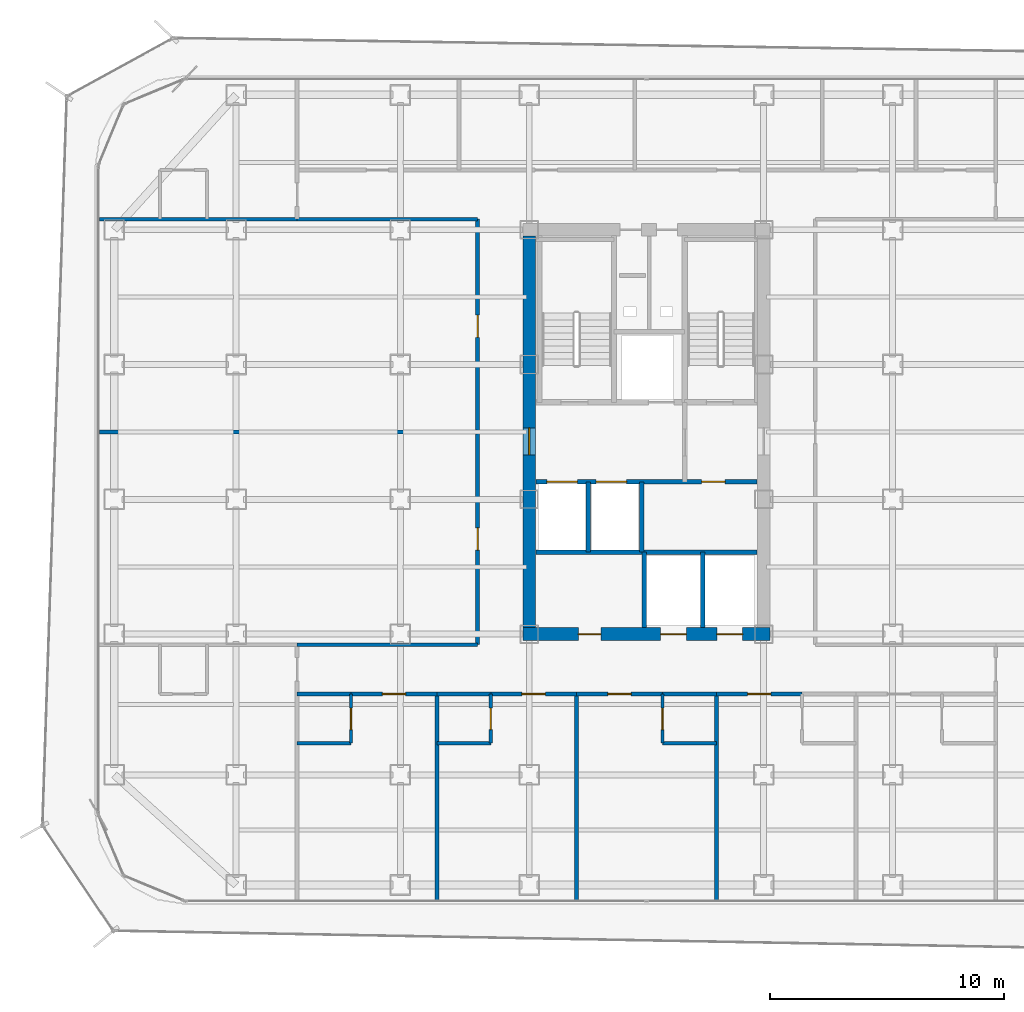
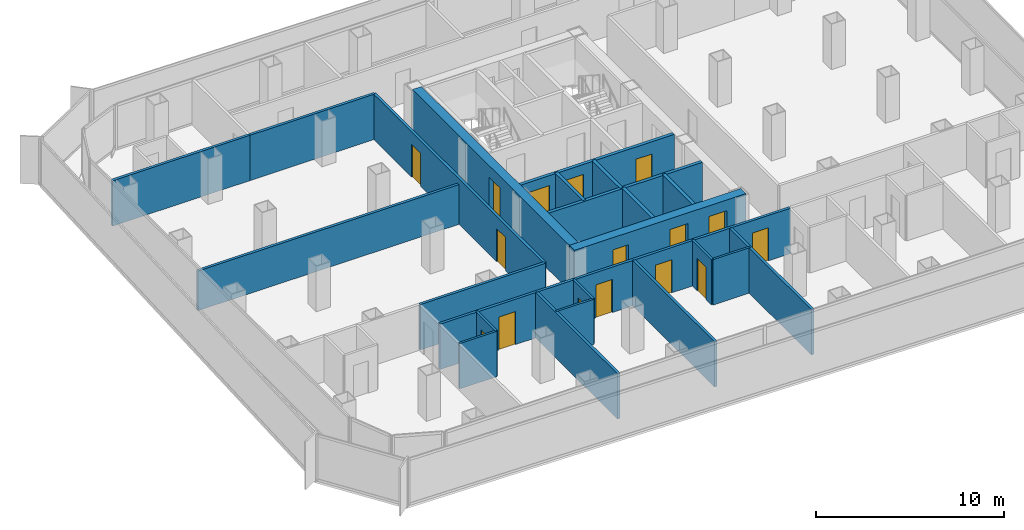
# One storey, part 16 of 21: 29 walls, 16 doors, 16 openings.
"""IFC4 building model written with IfcOpenShell, lengths in metres."""

from ifc_helpers import new_model, si_unit, direction, frame, frame_2d, origin, place, context, subcontext, project, spatial, rectangle, extrude, material, layer, layer_set, type_object, element, fill, save


model = new_model("IFC4")

# Units and contexts
model_context = context("Model", 3, precision=1e-05, world=origin(), true_north=direction((0.0, 1.0)))
body_context = subcontext(model_context, "Body", "Model", "MODEL_VIEW")
ifc_project = project(units=[si_unit("LENGTHUNIT", "METRE"), si_unit("AREAUNIT", "SQUARE_METRE"), si_unit("VOLUMEUNIT", "CUBIC_METRE"), si_unit("PLANEANGLEUNIT", "RADIAN"), si_unit("MASSUNIT", "GRAM", prefix="KILO")], contexts=[model_context])

# Site, building, storey
site_placement = place(None, origin())
site = spatial("IfcSite", under=ifc_project, at=site_placement, CompositionType="ELEMENT")
building_placement = place(site_placement, origin())
building = spatial("IfcBuilding", under=site, at=building_placement, Name="Kolveth Station Tower", CompositionType="ELEMENT")
storey_placement = place(building_placement, frame((0.0, 0.0, 111.89990234375)))
storey = spatial("IfcBuildingStorey", under=building, at=storey_placement, Name="L30", CompositionType="ELEMENT", Elevation=111.89990234375)

# Wall, openings, doors
ifc_material_1 = material(Name="Concrete C60/75", Category="concrete")
ifc_layer_1 = layer(ifc_material_1, 0.550048828125)
ifc_layer_set_1 = layer_set([ifc_layer_1], Name="Concrete C60/75")
wall_type_1 = type_object("IfcWallType", Name="Wall_CW-550", PredefinedType="SHEAR", material=ifc_layer_set_1)
wall_1_placement = place(storey_placement, frame((18.22509765625, 11.5, 0.0), z_axis=(0.0, 0.0, 1.0), x_axis=(1.0, 0.0, 0.0)))
wall_1 = element("IfcWall", 1, at=wall_1_placement, inside=storey, type_object=wall_type_1, Name="L30 Core RC Shear Wall S", PredefinedType="SHEAR", context=body_context, shape_type="SweptSolid", body=[
    extrude(rectangle(XDim=10.5498046875, YDim=0.550048828125, at=frame_2d((5.27490234375, 0.0))), origin(), (0.0, 0.0, 1.0), 2.9501953125),
])
opening_1_placement = place(wall_1_placement, frame((2.375, 0.0, 0.0)))
opening_1 = element("IfcOpeningElement", 2, at=opening_1_placement, cuts=wall_1, Name="Opening ID1", PredefinedType="OPENING", context=body_context, shape_type="SweptSolid", body=[
    extrude(rectangle(XDim=0.949951171875, YDim=2.14990234375, at=frame_2d((0.47509765625, 1.074951171875))), frame((0.0, 0.284912109375, 0.0), z_axis=(0.0, -1.0, 0.0), x_axis=(1.0, 0.0, 0.0)), (0.0, 0.0, 1.0), 0.570068359375),
])
opening_2_placement = place(wall_1_placement, frame((5.875, 0.0, 0.0)))
opening_2 = element("IfcOpeningElement", 3, at=opening_2_placement, cuts=wall_1, Name="Opening LD1", PredefinedType="OPENING", context=body_context, shape_type="SweptSolid", body=[
    extrude(rectangle(XDim=1.10009765625, YDim=2.25, at=frame_2d((0.550048828125, 1.125))), frame((0.0, 0.284912109375, 0.0), z_axis=(0.0, -1.0, 0.0), x_axis=(1.0, 0.0, 0.0)), (0.0, 0.0, 1.0), 0.570068359375),
])
opening_3_placement = place(wall_1_placement, frame((8.27490234375, 0.0, 0.0)))
opening_3 = element("IfcOpeningElement", 4, at=opening_3_placement, cuts=wall_1, Name="Opening LD1", PredefinedType="OPENING", context=body_context, shape_type="SweptSolid", body=[
    extrude(rectangle(XDim=1.10009765625, YDim=2.25, at=frame_2d((0.550048828125, 1.125))), frame((0.0, 0.284912109375, 0.0), z_axis=(0.0, -1.0, 0.0), x_axis=(1.0, 0.0, 0.0)), (0.0, 0.0, 1.0), 0.570068359375),
])
ifc_material_2 = material(Name="Acoustic hardwood leaf and aluminium frame", Category="wood")
door_type_1 = type_object("IfcDoorType", Name="Door_ID1", OperationType="NOTDEFINED", PredefinedType="DOOR", material=ifc_material_2)
door_1_placement = place(opening_1_placement, frame((0.949951171875, 0.0, 0.0), z_axis=(0.0, 0.0, 1.0), x_axis=(-1.0, 0.0, 0.0)))
door_1 = element("IfcDoor", 5, at=door_1_placement, inside=storey, type_object=door_type_1, Name="L30 Hotel Pantry Door", OperationType="SINGLE_SWING_LEFT", OverallHeight=2.14990234375, OverallWidth=0.949951171875, PredefinedType="DOOR", context=body_context, shape_type="SweptSolid", body=[
    extrude(rectangle(XDim=0.949951171875, YDim=2.14990234375, at=frame_2d((0.47509765625, 1.074951171875))), frame((0.0, 0.02490234375, 0.0), z_axis=(0.0, -1.0, 0.0), x_axis=(1.0, 0.0, 0.0)), (0.0, 0.0, 1.0), 0.050048828125),
])
fill(opening_1, door_1)
ifc_material_3 = material(Name="Brushed stainless steel sliding landing doors", Category="steel")
door_type_2 = type_object("IfcDoorType", Name="Door_LD1", OperationType="NOTDEFINED", PredefinedType="DOOR", material=ifc_material_3)
door_2_placement = place(opening_2_placement, frame((1.10009765625, 0.0, 0.0), z_axis=(0.0, 0.0, 1.0), x_axis=(-1.0, 0.0, 0.0)))
door_2 = element("IfcDoor", 6, at=door_2_placement, inside=storey, type_object=door_type_2, Name="L30 Lift PM1 Landing Door", OperationType="DOUBLE_DOOR_SLIDING", OverallHeight=2.25, OverallWidth=1.10009765625, PredefinedType="DOOR", context=body_context, shape_type="SweptSolid", body=[
    extrude(rectangle(XDim=1.10009765625, YDim=2.25, at=frame_2d((0.550048828125, 1.125))), frame((0.0, 0.02490234375, 0.0), z_axis=(0.0, -1.0, 0.0), x_axis=(1.0, 0.0, 0.0)), (0.0, 0.0, 1.0), 0.050048828125),
])
fill(opening_2, door_2)
door_3_placement = place(opening_3_placement, frame((1.10009765625, 0.0, 0.0), z_axis=(0.0, 0.0, 1.0), x_axis=(-1.0, 0.0, 0.0)))
door_3 = element("IfcDoor", 7, at=door_3_placement, inside=storey, type_object=door_type_2, Name="L30 Lift PH1 Landing Door", OperationType="DOUBLE_DOOR_SLIDING", OverallHeight=2.25, OverallWidth=1.10009765625, PredefinedType="DOOR", context=body_context, shape_type="SweptSolid", body=[
    extrude(rectangle(XDim=1.10009765625, YDim=2.25, at=frame_2d((0.550048828125, 1.125))), frame((0.0, 0.02490234375, 0.0), z_axis=(0.0, -1.0, 0.0), x_axis=(1.0, 0.0, 0.0)), (0.0, 0.0, 1.0), 0.050048828125),
])
fill(opening_3, door_3)

# Wall, opening, door
wall_2_placement = place(storey_placement, frame((18.5, 11.77490234375, 0.0), z_axis=(0.0, 0.0, 1.0), x_axis=(0.0, 1.0, 0.0)))
wall_2 = element("IfcWall", 8, at=wall_2_placement, inside=storey, type_object=wall_type_1, Name="L30 Core RC Shear Wall W", PredefinedType="SHEAR", context=body_context, shape_type="SweptSolid", body=[
    extrude(rectangle(XDim=16.7001953125, YDim=0.550048828125, at=frame_2d((8.35009765625, 0.0))), origin(), (0.0, 0.0, 1.0), 2.9501953125),
])
opening_4_placement = place(wall_2_placement, frame((7.375, 0.0, 0.0)))
opening_4 = element("IfcOpeningElement", 9, at=opening_4_placement, cuts=wall_2, Name="Opening FD1", PredefinedType="OPENING", context=body_context, shape_type="SweptSolid", body=[
    extrude(rectangle(XDim=1.14990234375, YDim=2.199951171875, at=frame_2d((0.574951171875, 1.10009765625))), frame((0.0, 0.284912109375, 0.0), z_axis=(0.0, -1.0, 0.0), x_axis=(1.0, 0.0, 0.0)), (0.0, 0.0, 1.0), 0.570068359375),
])
ifc_material_4 = material(Name="Fire-rated Steel S355 leaf and frame", Category="steel")
door_type_3 = type_object("IfcDoorType", Name="Door_FD1", OperationType="NOTDEFINED", PredefinedType="DOOR", material=ifc_material_4)
door_4_placement = place(opening_4_placement, frame((1.14990234375, 0.0, 0.0), z_axis=(0.0, 0.0, 1.0), x_axis=(-1.0, 0.0, 0.0)))
door_4 = element("IfcDoor", 10, at=door_4_placement, inside=storey, type_object=door_type_3, Name="L30 West Corridor to Firefighting Lobby Door", OperationType="SINGLE_SWING_LEFT", OverallHeight=2.199951171875, OverallWidth=1.14990234375, PredefinedType="DOOR", context=body_context, shape_type="SweptSolid", body=[
    extrude(rectangle(XDim=1.14990234375, YDim=2.199951171875, at=frame_2d((0.574951171875, 1.10009765625))), frame((0.0, 0.02490234375, 0.0), z_axis=(0.0, -1.0, 0.0), x_axis=(1.0, 0.0, 0.0)), (0.0, 0.0, 1.0), 0.050048828125),
])
fill(opening_4, door_4)

ifc_material_5 = material(Name="Moisture-resistant gypsum partition")
ifc_layer_2 = layer(ifc_material_5, 0.135009765625)
ifc_layer_set_2 = layer_set([ifc_layer_2], Name="Moisture-resistant gypsum partition")
wall_type_2 = type_object("IfcWallType", Name="Wall_IW-135", PredefinedType="PARTITIONING", material=ifc_layer_set_2)
wall_3_placement = place(storey_placement, frame((10.89990234375, 6.85009765625, 0.0), z_axis=(0.0, 0.0, 1.0), x_axis=(0.0, 1.0, 0.0)))
wall_3 = element("IfcWall", 11, at=wall_3_placement, inside=storey, type_object=wall_type_2, Name="L30 Partition Wall WL-L30-HS1-BV", PredefinedType="PARTITIONING", context=body_context, shape_type="SweptSolid", body=[
    extrude(rectangle(XDim=2.099853515625, YDim=0.135009765625, at=frame_2d((1.0498046875, 0.0))), origin(), (0.0, 0.0, 1.0), 2.9501953125),
])
opening_5_placement = place(wall_3_placement, frame((0.580078125, 0.0, 0.0)))
opening_5 = element("IfcOpeningElement", 12, at=opening_5_placement, cuts=wall_3, Name="Opening ID2", PredefinedType="OPENING", context=body_context, shape_type="SweptSolid", body=[
    extrude(rectangle(XDim=0.919921875, YDim=2.10009765625, at=frame_2d((0.4599609375, 1.050048828125))), frame((0.0, 0.077392578125, 0.0), z_axis=(0.0, -1.0, 0.0), x_axis=(1.0, 0.0, 0.0)), (0.0, 0.0, 1.0), 0.155029296875),
])
ifc_material_6 = material(Name="Moisture-resistant hardwood leaf", Category="wood")
door_type_4 = type_object("IfcDoorType", Name="Door_ID2", OperationType="NOTDEFINED", PredefinedType="DOOR", material=ifc_material_6)
door_5_placement = place(opening_5_placement, frame((0.919921875, 0.0, 0.0), z_axis=(0.0, 0.0, 1.0), x_axis=(-1.0, 0.0, 0.0)))
door_5 = element("IfcDoor", 13, at=door_5_placement, inside=storey, type_object=door_type_4, Name="L30 Hotel Guest Room HS1 En-Suite Door", OperationType="SINGLE_SWING_RIGHT", OverallHeight=2.10009765625, OverallWidth=0.919921875, PredefinedType="DOOR", context=body_context, shape_type="SweptSolid", body=[
    extrude(rectangle(XDim=0.919921875, YDim=2.10009765625, at=frame_2d((0.4599609375, 1.050048828125))), frame((0.0, 0.02490234375, 0.0), z_axis=(0.0, -1.0, 0.0), x_axis=(1.0, 0.0, 0.0)), (0.0, 0.0, 1.0), 0.050048828125),
])
fill(opening_5, door_5)

# Wall
wall_4_placement = place(storey_placement, frame((8.60009765625, 6.85009765625, 0.0), z_axis=(0.0, 0.0, 1.0), x_axis=(1.0, 0.0, 0.0)))
element("IfcWall", 14, at=wall_4_placement, inside=storey, type_object=wall_type_2, Name="L30 Partition Wall WL-L30-HS1-BH", PredefinedType="PARTITIONING", context=body_context, shape_type="SweptSolid", body=[
    extrude(rectangle(XDim=2.2998046875, YDim=0.135009765625, at=frame_2d((1.14990234375, 0.0))), origin(), (0.0, 0.0, 1.0), 2.9501953125),
])

# Wall, opening, door
wall_5_placement = place(storey_placement, frame((16.860107421875, 6.85009765625, 0.0), z_axis=(0.0, 0.0, 1.0), x_axis=(0.0, 1.0, 0.0)))
wall_5 = element("IfcWall", 15, at=wall_5_placement, inside=storey, type_object=wall_type_2, Name="L30 Partition Wall WL-L30-HS2-BV", PredefinedType="PARTITIONING", context=body_context, shape_type="SweptSolid", body=[
    extrude(rectangle(XDim=2.099853515625, YDim=0.135009765625, at=frame_2d((1.0498046875, 0.0))), origin(), (0.0, 0.0, 1.0), 2.9501953125),
])
opening_6_placement = place(wall_5_placement, frame((0.580078125, 0.0, 0.0)))
opening_6 = element("IfcOpeningElement", 16, at=opening_6_placement, cuts=wall_5, Name="Opening ID2", PredefinedType="OPENING", context=body_context, shape_type="SweptSolid", body=[
    extrude(rectangle(XDim=0.919921875, YDim=2.10009765625, at=frame_2d((0.4599609375, 1.050048828125))), frame((0.0, 0.077392578125, 0.0), z_axis=(0.0, -1.0, 0.0), x_axis=(1.0, 0.0, 0.0)), (0.0, 0.0, 1.0), 0.155029296875),
])
door_6_placement = place(opening_6_placement, frame((0.919921875, 0.0, 0.0), z_axis=(0.0, 0.0, 1.0), x_axis=(-1.0, 0.0, 0.0)))
door_6 = element("IfcDoor", 17, at=door_6_placement, inside=storey, type_object=door_type_4, Name="L30 Hotel Guest Room HS2 En-Suite Door", OperationType="SINGLE_SWING_RIGHT", OverallHeight=2.10009765625, OverallWidth=0.919921875, PredefinedType="DOOR", context=body_context, shape_type="SweptSolid", body=[
    extrude(rectangle(XDim=0.919921875, YDim=2.10009765625, at=frame_2d((0.4599609375, 1.050048828125))), frame((0.0, 0.02490234375, 0.0), z_axis=(0.0, -1.0, 0.0), x_axis=(1.0, 0.0, 0.0)), (0.0, 0.0, 1.0), 0.050048828125),
])
fill(opening_6, door_6)

# Wall
wall_6_placement = place(storey_placement, frame((14.56005859375, 6.85009765625, 0.0), z_axis=(0.0, 0.0, 1.0), x_axis=(1.0, 0.0, 0.0)))
element("IfcWall", 18, at=wall_6_placement, inside=storey, type_object=wall_type_2, Name="L30 Partition Wall WL-L30-HS2-BH", PredefinedType="PARTITIONING", context=body_context, shape_type="SweptSolid", body=[
    extrude(rectangle(XDim=2.300048828125, YDim=0.135009765625, at=frame_2d((1.14990234375, 0.0))), origin(), (0.0, 0.0, 1.0), 2.9501953125),
])

# Wall, opening, door
wall_7_placement = place(storey_placement, frame((24.179931640625, 6.85009765625, 0.0), z_axis=(0.0, 0.0, 1.0), x_axis=(0.0, 1.0, 0.0)))
wall_7 = element("IfcWall", 19, at=wall_7_placement, inside=storey, type_object=wall_type_2, Name="L30 Partition Wall WL-L30-HS3-BV", PredefinedType="PARTITIONING", context=body_context, shape_type="SweptSolid", body=[
    extrude(rectangle(XDim=2.099853515625, YDim=0.135009765625, at=frame_2d((1.0498046875, 0.0))), origin(), (0.0, 0.0, 1.0), 2.9501953125),
])
opening_7_placement = place(wall_7_placement, frame((0.580078125, 0.0, 0.0)))
opening_7 = element("IfcOpeningElement", 20, at=opening_7_placement, cuts=wall_7, Name="Opening ID2", PredefinedType="OPENING", context=body_context, shape_type="SweptSolid", body=[
    extrude(rectangle(XDim=0.919921875, YDim=2.10009765625, at=frame_2d((0.4599609375, 1.050048828125))), frame((0.0, 0.077392578125, 0.0), z_axis=(0.0, -1.0, 0.0), x_axis=(1.0, 0.0, 0.0)), (0.0, 0.0, 1.0), 0.155029296875),
])
door_7_placement = place(opening_7_placement, origin())
door_7 = element("IfcDoor", 21, at=door_7_placement, inside=storey, type_object=door_type_4, Name="L30 Hotel Guest Room HS3 En-Suite Door", OperationType="SINGLE_SWING_RIGHT", OverallHeight=2.10009765625, OverallWidth=0.919921875, PredefinedType="DOOR", context=body_context, shape_type="SweptSolid", body=[
    extrude(rectangle(XDim=0.919921875, YDim=2.10009765625, at=frame_2d((0.4599609375, 1.050048828125))), frame((0.0, 0.02490234375, 0.0), z_axis=(0.0, -1.0, 0.0), x_axis=(1.0, 0.0, 0.0)), (0.0, 0.0, 1.0), 0.050048828125),
])
fill(opening_7, door_7)

# Walls
wall_8_placement = place(storey_placement, frame((24.179931640625, 6.85009765625, 0.0), z_axis=(0.0, 0.0, 1.0), x_axis=(1.0, 0.0, 0.0)))
element("IfcWall", 22, at=wall_8_placement, inside=storey, type_object=wall_type_2, Name="L30 Partition Wall WL-L30-HS3-BH", PredefinedType="PARTITIONING", context=body_context, shape_type="SweptSolid", body=[
    extrude(rectangle(XDim=2.300048828125, YDim=0.135009765625, at=frame_2d((1.14990234375, 0.0))), origin(), (0.0, 0.0, 1.0), 2.9501953125),
])
ifc_material_7 = material(Name="Acoustic double-stud gypsum partition")
ifc_layer_3 = layer(ifc_material_7, 0.1650390625)
ifc_layer_set_3 = layer_set([ifc_layer_3], Name="Acoustic double-stud gypsum partition")
wall_type_3 = type_object("IfcWallType", Name="Wall_IW-165", PredefinedType="PARTITIONING", material=ifc_layer_set_3)
for number, where, z_axis, x_axis, name in (
    (23, (8.60009765625, 11.050048828125, 0.0), (0.0, 0.0, 1.0), (1.0, 0.0, 0.0), "L30 Partition Wall WL-L30-HSWT"),
    (24, (8.60009765625, 29.199951171875, 0.0), (0.0, 0.0, 1.0), (1.0, 0.0, 0.0), "L30 Partition Wall WL-L30-HNWB"),
):
    element("IfcWall", number, at=place(storey_placement, frame(where, z_axis=z_axis, x_axis=x_axis)), inside=storey, type_object=wall_type_3, Name=name, PredefinedType="PARTITIONING", context=body_context, shape_type="SweptSolid", body=[
        extrude(rectangle(XDim=7.699951171875, YDim=0.1650390625, at=frame_2d((3.85009765625, 0.0))), origin(), (0.0, 0.0, 1.0), 2.9501953125),
    ])

# Wall, openings, doors
wall_9_placement = place(storey_placement, frame((16.300048828125, 11.050048828125, 0.0), z_axis=(0.0, 0.0, 1.0), x_axis=(0.0, 1.0, 0.0)))
wall_9 = element("IfcWall", 25, at=wall_9_placement, inside=storey, type_object=wall_type_3, Name="L30 Partition Wall WL-L30-HW", PredefinedType="PARTITIONING", context=body_context, shape_type="SweptSolid", body=[
    extrude(rectangle(XDim=18.14990234375, YDim=0.1650390625, at=frame_2d((9.074951171875, 0.0))), origin(), (0.0, 0.0, 1.0), 2.9501953125),
])
opening_8_placement = place(wall_9_placement, frame((4.037109375, 0.0, 0.0)))
opening_8 = element("IfcOpeningElement", 26, at=opening_8_placement, cuts=wall_9, Name="Opening ID1", PredefinedType="OPENING", context=body_context, shape_type="SweptSolid", body=[
    extrude(rectangle(XDim=0.949951171875, YDim=2.14990234375, at=frame_2d((0.47509765625, 1.074951171875))), frame((0.0, 0.092529296875, 0.0), z_axis=(0.0, -1.0, 0.0), x_axis=(1.0, 0.0, 0.0)), (0.0, 0.0, 1.0), 0.18505859375),
])
opening_9_placement = place(wall_9_placement, frame((13.113037109375, 0.0, 0.0)))
opening_9 = element("IfcOpeningElement", 27, at=opening_9_placement, cuts=wall_9, Name="Opening ID1", PredefinedType="OPENING", context=body_context, shape_type="SweptSolid", body=[
    extrude(rectangle(XDim=0.949951171875, YDim=2.14990234375, at=frame_2d((0.47509765625, 1.074951171875))), frame((0.0, 0.092529296875, 0.0), z_axis=(0.0, -1.0, 0.0), x_axis=(1.0, 0.0, 0.0)), (0.0, 0.0, 1.0), 0.18505859375),
])
door_8_placement = place(opening_8_placement, frame((0.949951171875, 0.0, 0.0), z_axis=(0.0, 0.0, 1.0), x_axis=(-1.0, 0.0, 0.0)))
door_8 = element("IfcDoor", 28, at=door_8_placement, inside=storey, type_object=door_type_1, Name="L30 Meeting Salon West 1 Door", OperationType="SINGLE_SWING_LEFT", OverallHeight=2.14990234375, OverallWidth=0.949951171875, PredefinedType="DOOR", context=body_context, shape_type="SweptSolid", body=[
    extrude(rectangle(XDim=0.949951171875, YDim=2.14990234375, at=frame_2d((0.47509765625, 1.074951171875))), frame((0.0, 0.02490234375, 0.0), z_axis=(0.0, -1.0, 0.0), x_axis=(1.0, 0.0, 0.0)), (0.0, 0.0, 1.0), 0.050048828125),
])
fill(opening_8, door_8)
door_9_placement = place(opening_9_placement, frame((0.949951171875, 0.0, 0.0), z_axis=(0.0, 0.0, 1.0), x_axis=(-1.0, 0.0, 0.0)))
door_9 = element("IfcDoor", 29, at=door_9_placement, inside=storey, type_object=door_type_1, Name="L30 Meeting Salon West 2 Door", OperationType="SINGLE_SWING_LEFT", OverallHeight=2.14990234375, OverallWidth=0.949951171875, PredefinedType="DOOR", context=body_context, shape_type="SweptSolid", body=[
    extrude(rectangle(XDim=0.949951171875, YDim=2.14990234375, at=frame_2d((0.47509765625, 1.074951171875))), frame((0.0, 0.02490234375, 0.0), z_axis=(0.0, -1.0, 0.0), x_axis=(1.0, 0.0, 0.0)), (0.0, 0.0, 1.0), 0.050048828125),
])
fill(opening_9, door_9)

# Walls
wall_10_placement = place(storey_placement, frame((0.159912109375, 29.199951171875, 0.0), z_axis=(0.0, 0.0, 1.0), x_axis=(1.0, 0.0, 0.0)))
element("IfcWall", 30, at=wall_10_placement, inside=storey, type_object=wall_type_3, Name="L30 Partition Wall WL-L30-WM2", PredefinedType="PARTITIONING", context=body_context, shape_type="SweptSolid", body=[
    extrude(rectangle(XDim=8.440185546875, YDim=0.1650390625, at=frame_2d((4.22021484375, 0.0))), origin(), (0.0, 0.0, 1.0), 2.9501953125),
])
wall_11_placement = place(storey_placement, frame((8.60009765625, 8.949951171875, 0.0), z_axis=(0.0, 0.0, 1.0), x_axis=(1.0, 0.0, 0.0)))
element("IfcWall", 31, at=wall_11_placement, inside=storey, type_object=wall_type_3, Name="L30 Partition Wall WL-L30-HS1-BCOR", PredefinedType="PARTITIONING", context=body_context, shape_type="SweptSolid", body=[
    extrude(rectangle(XDim=2.2998046875, YDim=0.1650390625, at=frame_2d((1.14990234375, 0.0))), origin(), (0.0, 0.0, 1.0), 2.9501953125),
])

# Wall, opening, door
wall_12_placement = place(storey_placement, frame((10.89990234375, 8.949951171875, 0.0), z_axis=(0.0, 0.0, 1.0), x_axis=(1.0, 0.0, 0.0)))
wall_12 = element("IfcWall", 32, at=wall_12_placement, inside=storey, type_object=wall_type_3, Name="L30 Partition Wall WL-L30-HS1-RCOR", PredefinedType="PARTITIONING", context=body_context, shape_type="SweptSolid", body=[
    extrude(rectangle(XDim=3.66015625, YDim=0.1650390625, at=frame_2d((1.830078125, 0.0))), origin(), (0.0, 0.0, 1.0), 2.9501953125),
])
opening_10_placement = place(wall_12_placement, frame((1.330078125, 0.0, 0.0)))
opening_10 = element("IfcOpeningElement", 33, at=opening_10_placement, cuts=wall_12, Name="Opening FD3", PredefinedType="OPENING", context=body_context, shape_type="SweptSolid", body=[
    extrude(rectangle(XDim=1.0, YDim=2.14990234375, at=frame_2d((0.5, 1.074951171875))), frame((0.0, 0.092529296875, 0.0), z_axis=(0.0, -1.0, 0.0), x_axis=(1.0, 0.0, 0.0)), (0.0, 0.0, 1.0), 0.18505859375),
])
ifc_material_8 = material(Name="Fire-rated hardwood leaf and aluminium frame", Category="wood")
door_type_5 = type_object("IfcDoorType", Name="Door_FD3", OperationType="NOTDEFINED", PredefinedType="DOOR", material=ifc_material_8)
door_10_placement = place(opening_10_placement, frame((1.0, 0.0, 0.0), z_axis=(0.0, 0.0, 1.0), x_axis=(-1.0, 0.0, 0.0)))
door_10 = element("IfcDoor", 34, at=door_10_placement, inside=storey, type_object=door_type_5, Name="L30 Hotel Guest Room HS1 Entrance Door", OperationType="SINGLE_SWING_LEFT", OverallHeight=2.14990234375, OverallWidth=1.0, PredefinedType="DOOR", context=body_context, shape_type="SweptSolid", body=[
    extrude(rectangle(XDim=1.0, YDim=2.14990234375, at=frame_2d((0.5, 1.074951171875))), frame((0.0, 0.02490234375, 0.0), z_axis=(0.0, -1.0, 0.0), x_axis=(1.0, 0.0, 0.0)), (0.0, 0.0, 1.0), 0.050048828125),
])
fill(opening_10, door_10)

# Walls
wall_13_placement = place(storey_placement, frame((14.56005859375, 0.159912109375, 0.0), z_axis=(0.0, 0.0, 1.0), x_axis=(0.0, 1.0, 0.0)))
element("IfcWall", 35, at=wall_13_placement, inside=storey, type_object=wall_type_3, Name="L30 Partition Wall WL-L30-HSK-1", PredefinedType="PARTITIONING", context=body_context, shape_type="SweptSolid", body=[
    extrude(rectangle(XDim=8.7900390625, YDim=0.1650390625, at=frame_2d((4.39501953125, 0.0))), origin(), (0.0, 0.0, 1.0), 2.9501953125),
])
wall_14_placement = place(storey_placement, frame((14.56005859375, 8.949951171875, 0.0), z_axis=(0.0, 0.0, 1.0), x_axis=(1.0, 0.0, 0.0)))
element("IfcWall", 36, at=wall_14_placement, inside=storey, type_object=wall_type_3, Name="L30 Partition Wall WL-L30-HS2-BCOR", PredefinedType="PARTITIONING", context=body_context, shape_type="SweptSolid", body=[
    extrude(rectangle(XDim=2.300048828125, YDim=0.1650390625, at=frame_2d((1.14990234375, 0.0))), origin(), (0.0, 0.0, 1.0), 2.9501953125),
])

# Wall, opening, door
wall_15_placement = place(storey_placement, frame((16.860107421875, 8.949951171875, 0.0), z_axis=(0.0, 0.0, 1.0), x_axis=(1.0, 0.0, 0.0)))
wall_15 = element("IfcWall", 37, at=wall_15_placement, inside=storey, type_object=wall_type_3, Name="L30 Partition Wall WL-L30-HS2-RCOR", PredefinedType="PARTITIONING", context=body_context, shape_type="SweptSolid", body=[
    extrude(rectangle(XDim=3.659912109375, YDim=0.1650390625, at=frame_2d((1.830078125, 0.0))), origin(), (0.0, 0.0, 1.0), 2.9501953125),
])
opening_11_placement = place(wall_15_placement, frame((1.330078125, 0.0, 0.0)))
opening_11 = element("IfcOpeningElement", 38, at=opening_11_placement, cuts=wall_15, Name="Opening FD3", PredefinedType="OPENING", context=body_context, shape_type="SweptSolid", body=[
    extrude(rectangle(XDim=1.0, YDim=2.14990234375, at=frame_2d((0.5, 1.074951171875))), frame((0.0, 0.092529296875, 0.0), z_axis=(0.0, -1.0, 0.0), x_axis=(1.0, 0.0, 0.0)), (0.0, 0.0, 1.0), 0.18505859375),
])
door_11_placement = place(opening_11_placement, frame((1.0, 0.0, 0.0), z_axis=(0.0, 0.0, 1.0), x_axis=(-1.0, 0.0, 0.0)))
door_11 = element("IfcDoor", 39, at=door_11_placement, inside=storey, type_object=door_type_5, Name="L30 Hotel Guest Room HS2 Entrance Door", OperationType="SINGLE_SWING_LEFT", OverallHeight=2.14990234375, OverallWidth=1.0, PredefinedType="DOOR", context=body_context, shape_type="SweptSolid", body=[
    extrude(rectangle(XDim=1.0, YDim=2.14990234375, at=frame_2d((0.5, 1.074951171875))), frame((0.0, 0.02490234375, 0.0), z_axis=(0.0, -1.0, 0.0), x_axis=(1.0, 0.0, 0.0)), (0.0, 0.0, 1.0), 0.050048828125),
])
fill(opening_11, door_11)

# Walls
wall_16_placement = place(storey_placement, frame((20.52001953125, 0.159912109375, 0.0), z_axis=(0.0, 0.0, 1.0), x_axis=(0.0, 1.0, 0.0)))
element("IfcWall", 40, at=wall_16_placement, inside=storey, type_object=wall_type_3, Name="L30 Partition Wall WL-L30-HSK-2", PredefinedType="PARTITIONING", context=body_context, shape_type="SweptSolid", body=[
    extrude(rectangle(XDim=8.7900390625, YDim=0.1650390625, at=frame_2d((4.39501953125, 0.0))), origin(), (0.0, 0.0, 1.0), 2.9501953125),
])
wall_17_placement = place(storey_placement, frame((24.179931640625, 8.949951171875, 0.0), z_axis=(0.0, 0.0, 1.0), x_axis=(1.0, 0.0, 0.0)))
element("IfcWall", 41, at=wall_17_placement, inside=storey, type_object=wall_type_3, Name="L30 Partition Wall WL-L30-HS3-BCOR", PredefinedType="PARTITIONING", context=body_context, shape_type="SweptSolid", body=[
    extrude(rectangle(XDim=2.300048828125, YDim=0.1650390625, at=frame_2d((1.14990234375, 0.0))), origin(), (0.0, 0.0, 1.0), 2.9501953125),
])

# Wall, opening, door
wall_18_placement = place(storey_placement, frame((20.52001953125, 8.949951171875, 0.0), z_axis=(0.0, 0.0, 1.0), x_axis=(1.0, 0.0, 0.0)))
wall_18 = element("IfcWall", 42, at=wall_18_placement, inside=storey, type_object=wall_type_3, Name="L30 Partition Wall WL-L30-HS3-RCOR", PredefinedType="PARTITIONING", context=body_context, shape_type="SweptSolid", body=[
    extrude(rectangle(XDim=3.659912109375, YDim=0.1650390625, at=frame_2d((1.830078125, 0.0))), origin(), (0.0, 0.0, 1.0), 2.9501953125),
])
opening_12_placement = place(wall_18_placement, frame((1.330078125, 0.0, 0.0)))
opening_12 = element("IfcOpeningElement", 43, at=opening_12_placement, cuts=wall_18, Name="Opening FD3", PredefinedType="OPENING", context=body_context, shape_type="SweptSolid", body=[
    extrude(rectangle(XDim=1.0, YDim=2.14990234375, at=frame_2d((0.5, 1.074951171875))), frame((0.0, 0.092529296875, 0.0), z_axis=(0.0, -1.0, 0.0), x_axis=(1.0, 0.0, 0.0)), (0.0, 0.0, 1.0), 0.18505859375),
])
door_12_placement = place(opening_12_placement, frame((1.0, 0.0, 0.0), z_axis=(0.0, 0.0, 1.0), x_axis=(-1.0, 0.0, 0.0)))
door_12 = element("IfcDoor", 44, at=door_12_placement, inside=storey, type_object=door_type_5, Name="L30 Hotel Guest Room HS3 Entrance Door", OperationType="SINGLE_SWING_LEFT", OverallHeight=2.14990234375, OverallWidth=1.0, PredefinedType="DOOR", context=body_context, shape_type="SweptSolid", body=[
    extrude(rectangle(XDim=1.0, YDim=2.14990234375, at=frame_2d((0.5, 1.074951171875))), frame((0.0, 0.02490234375, 0.0), z_axis=(0.0, -1.0, 0.0), x_axis=(1.0, 0.0, 0.0)), (0.0, 0.0, 1.0), 0.050048828125),
])
fill(opening_12, door_12)

# Wall
wall_19_placement = place(storey_placement, frame((26.47998046875, 0.159912109375, 0.0), z_axis=(0.0, 0.0, 1.0), x_axis=(0.0, 1.0, 0.0)))
element("IfcWall", 45, at=wall_19_placement, inside=storey, type_object=wall_type_3, Name="L30 Partition Wall WL-L30-HSK-3", PredefinedType="PARTITIONING", context=body_context, shape_type="SweptSolid", body=[
    extrude(rectangle(XDim=8.7900390625, YDim=0.1650390625, at=frame_2d((4.39501953125, 0.0))), origin(), (0.0, 0.0, 1.0), 2.9501953125),
])

# Wall, opening, door
wall_20_placement = place(storey_placement, frame((26.47998046875, 8.949951171875, 0.0), z_axis=(0.0, 0.0, 1.0), x_axis=(1.0, 0.0, 0.0)))
wall_20 = element("IfcWall", 46, at=wall_20_placement, inside=storey, type_object=wall_type_3, Name="L30 Partition Wall WL-L30-HS4-RCOR", PredefinedType="PARTITIONING", context=body_context, shape_type="SweptSolid", body=[
    extrude(rectangle(XDim=3.659912109375, YDim=0.1650390625, at=frame_2d((1.830078125, 0.0))), origin(), (0.0, 0.0, 1.0), 2.9501953125),
])
opening_13_placement = place(wall_20_placement, frame((1.330078125, 0.0, 0.0)))
opening_13 = element("IfcOpeningElement", 47, at=opening_13_placement, cuts=wall_20, Name="Opening FD3", PredefinedType="OPENING", context=body_context, shape_type="SweptSolid", body=[
    extrude(rectangle(XDim=1.0, YDim=2.14990234375, at=frame_2d((0.5, 1.074951171875))), frame((0.0, 0.092529296875, 0.0), z_axis=(0.0, -1.0, 0.0), x_axis=(1.0, 0.0, 0.0)), (0.0, 0.0, 1.0), 0.18505859375),
])
door_13_placement = place(opening_13_placement, frame((1.0, 0.0, 0.0), z_axis=(0.0, 0.0, 1.0), x_axis=(-1.0, 0.0, 0.0)))
door_13 = element("IfcDoor", 48, at=door_13_placement, inside=storey, type_object=door_type_5, Name="L30 Hotel Guest Room HS4 Entrance Door", OperationType="SINGLE_SWING_LEFT", OverallHeight=2.14990234375, OverallWidth=1.0, PredefinedType="DOOR", context=body_context, shape_type="SweptSolid", body=[
    extrude(rectangle(XDim=1.0, YDim=2.14990234375, at=frame_2d((0.5, 1.074951171875))), frame((0.0, 0.02490234375, 0.0), z_axis=(0.0, -1.0, 0.0), x_axis=(1.0, 0.0, 0.0)), (0.0, 0.0, 1.0), 0.050048828125),
])
fill(opening_13, door_13)

# Wall
wall_21_placement = place(storey_placement, frame((0.159912109375, 20.125, 0.0), z_axis=(0.0, 0.0, 1.0), x_axis=(1.0, 0.0, 0.0)))
element("IfcWall", 49, at=wall_21_placement, inside=storey, type_object=wall_type_3, Name="L30 Partition Wall WL-L30-HMW-P1", PredefinedType="PARTITIONING", context=body_context, shape_type="SweptSolid", body=[
    extrude(rectangle(XDim=16.14013671875, YDim=0.1650390625, at=frame_2d((8.070068359375, 0.0))), origin(), (0.0, 0.0, 1.0), 2.5830078125),
])

# Wall, openings, doors
ifc_material_9 = material(Name="Acoustic fire-rated gypsum blockwork", Category="masonry")
ifc_layer_4 = layer(ifc_material_9, 0.199951171875)
ifc_layer_set_4 = layer_set([ifc_layer_4], Name="Acoustic fire-rated gypsum blockwork")
wall_type_4 = type_object("IfcWallType", Name="Wall_IW-200", PredefinedType="PARTITIONING", material=ifc_layer_set_4)
wall_22_placement = place(storey_placement, frame((18.784912109375, 18.0, 0.0), z_axis=(0.0, 0.0, 1.0), x_axis=(1.0, 0.0, 0.0)))
wall_22 = element("IfcWall", 50, at=wall_22_placement, inside=storey, type_object=wall_type_4, Name="L30 Partition Wall WL-L30-FFL-S", PredefinedType="PARTITIONING", context=body_context, shape_type="SweptSolid", body=[
    extrude(rectangle(XDim=9.43017578125, YDim=0.199951171875, at=frame_2d((4.715087890625, 0.0))), origin(), (0.0, 0.0, 1.0), 2.9501953125),
])
opening_14_placement = place(wall_22_placement, frame((0.465087890625, 0.0, 0.0)))
opening_14 = element("IfcOpeningElement", 51, at=opening_14_placement, cuts=wall_22, Name="Opening LD2", PredefinedType="OPENING", context=body_context, shape_type="SweptSolid", body=[
    extrude(rectangle(XDim=1.300048828125, YDim=2.300048828125, at=frame_2d((0.64990234375, 1.14990234375))), frame((0.0, 0.10986328125, 0.0), z_axis=(0.0, -1.0, 0.0), x_axis=(1.0, 0.0, 0.0)), (0.0, 0.0, 1.0), 0.219970703125),
])
opening_15_placement = place(wall_22_placement, frame((2.56494140625, 0.0, 0.0)))
opening_15 = element("IfcOpeningElement", 52, at=opening_15_placement, cuts=wall_22, Name="Opening LD2", PredefinedType="OPENING", context=body_context, shape_type="SweptSolid", body=[
    extrude(rectangle(XDim=1.300048828125, YDim=2.300048828125, at=frame_2d((0.64990234375, 1.14990234375))), frame((0.0, 0.10986328125, 0.0), z_axis=(0.0, -1.0, 0.0), x_axis=(1.0, 0.0, 0.0)), (0.0, 0.0, 1.0), 0.219970703125),
])
opening_16_placement = place(wall_22_placement, frame((7.06494140625, 0.0, 0.0)))
opening_16 = element("IfcOpeningElement", 53, at=opening_16_placement, cuts=wall_22, Name="Opening FD3", PredefinedType="OPENING", context=body_context, shape_type="SweptSolid", body=[
    extrude(rectangle(XDim=1.0, YDim=2.14990234375, at=frame_2d((0.5, 1.074951171875))), frame((0.0, 0.10986328125, 0.0), z_axis=(0.0, -1.0, 0.0), x_axis=(1.0, 0.0, 0.0)), (0.0, 0.0, 1.0), 0.219970703125),
])
door_14_placement = place(opening_16_placement, frame((1.0, 0.0, 0.0), z_axis=(0.0, 0.0, 1.0), x_axis=(-1.0, 0.0, 0.0)))
door_14 = element("IfcDoor", 54, at=door_14_placement, inside=storey, type_object=door_type_5, Name="L30 Housekeeping and Linen Room Door", OperationType="SINGLE_SWING_LEFT", OverallHeight=2.14990234375, OverallWidth=1.0, PredefinedType="DOOR", context=body_context, shape_type="SweptSolid", body=[
    extrude(rectangle(XDim=1.0, YDim=2.14990234375, at=frame_2d((0.5, 1.074951171875))), frame((0.0, 0.02490234375, 0.0), z_axis=(0.0, -1.0, 0.0), x_axis=(1.0, 0.0, 0.0)), (0.0, 0.0, 1.0), 0.050048828125),
])
fill(opening_16, door_14)
ifc_material_10 = material(Name="Firefighting stainless steel sliding landing doors", Category="steel")
door_type_6 = type_object("IfcDoorType", Name="Door_LD2", OperationType="NOTDEFINED", PredefinedType="DOOR", material=ifc_material_10)
door_15_placement = place(opening_14_placement, origin())
door_15 = element("IfcDoor", 55, at=door_15_placement, inside=storey, type_object=door_type_6, Name="L30 Firefighting Lift FF1 Landing Door", OperationType="DOUBLE_DOOR_SLIDING", OverallHeight=2.300048828125, OverallWidth=1.300048828125, PredefinedType="DOOR", context=body_context, shape_type="SweptSolid", body=[
    extrude(rectangle(XDim=1.300048828125, YDim=2.300048828125, at=frame_2d((0.64990234375, 1.14990234375))), frame((0.0, 0.02490234375, 0.0), z_axis=(0.0, -1.0, 0.0), x_axis=(1.0, 0.0, 0.0)), (0.0, 0.0, 1.0), 0.050048828125),
])
fill(opening_14, door_15)
door_16_placement = place(opening_15_placement, origin())
door_16 = element("IfcDoor", 56, at=door_16_placement, inside=storey, type_object=door_type_6, Name="L30 Firefighting Lift FF2 Landing Door", OperationType="DOUBLE_DOOR_SLIDING", OverallHeight=2.300048828125, OverallWidth=1.300048828125, PredefinedType="DOOR", context=body_context, shape_type="SweptSolid", body=[
    extrude(rectangle(XDim=1.300048828125, YDim=2.300048828125, at=frame_2d((0.64990234375, 1.14990234375))), frame((0.0, 0.02490234375, 0.0), z_axis=(0.0, -1.0, 0.0), x_axis=(1.0, 0.0, 0.0)), (0.0, 0.0, 1.0), 0.050048828125),
])
fill(opening_15, door_16)

# Walls
for number, where, z_axis, x_axis, name in (
    (57, (21.02001953125, 15.0, 0.0), (0.0, 0.0, 1.0), (0.0, 1.0, 0.0), "L30 Partition Wall WL-L30-FF12"),
    (58, (23.300048828125, 15.0, 0.0), (0.0, 0.0, 1.0), (0.0, 1.0, 0.0), "L30 Partition Wall WL-L30-FF2E"),
):
    element("IfcWall", number, at=place(storey_placement, frame(where, z_axis=z_axis, x_axis=x_axis)), inside=storey, type_object=wall_type_4, Name=name, PredefinedType="PARTITIONING", context=body_context, shape_type="SweptSolid", body=[
        extrude(rectangle(XDim=3.0, YDim=0.199951171875, at=frame_2d((1.5, 0.0))), origin(), (0.0, 0.0, 1.0), 2.9501953125),
    ])
wall_23_placement = place(storey_placement, frame((18.784912109375, 15.0, 0.0), z_axis=(0.0, 0.0, 1.0), x_axis=(1.0, 0.0, 0.0)))
element("IfcWall", 59, at=wall_23_placement, inside=storey, type_object=wall_type_4, Name="L30 Partition Wall WL-L30-BOH-S", PredefinedType="PARTITIONING", context=body_context, shape_type="SweptSolid", body=[
    extrude(rectangle(XDim=9.43017578125, YDim=0.199951171875, at=frame_2d((4.715087890625, 0.0))), origin(), (0.0, 0.0, 1.0), 2.9501953125),
])
for number, where, z_axis, x_axis, name in (
    (60, (23.39990234375, 11.784912109375, 0.0), (0.0, 0.0, 1.0), (0.0, 1.0, 0.0), "L30 Partition Wall WL-L30-PL2E"),
    (61, (25.89990234375, 11.784912109375, 0.0), (0.0, 0.0, 1.0), (0.0, 1.0, 0.0), "L30 Partition Wall WL-L30-PMPH"),
):
    element("IfcWall", number, at=place(storey_placement, frame(where, z_axis=z_axis, x_axis=x_axis)), inside=storey, type_object=wall_type_4, Name=name, PredefinedType="PARTITIONING", context=body_context, shape_type="SweptSolid", body=[
        extrude(rectangle(XDim=3.215087890625, YDim=0.199951171875, at=frame_2d((1.607421875, 0.0))), origin(), (0.0, 0.0, 1.0), 2.9501953125),
    ])

save(model, "model.ifc")
